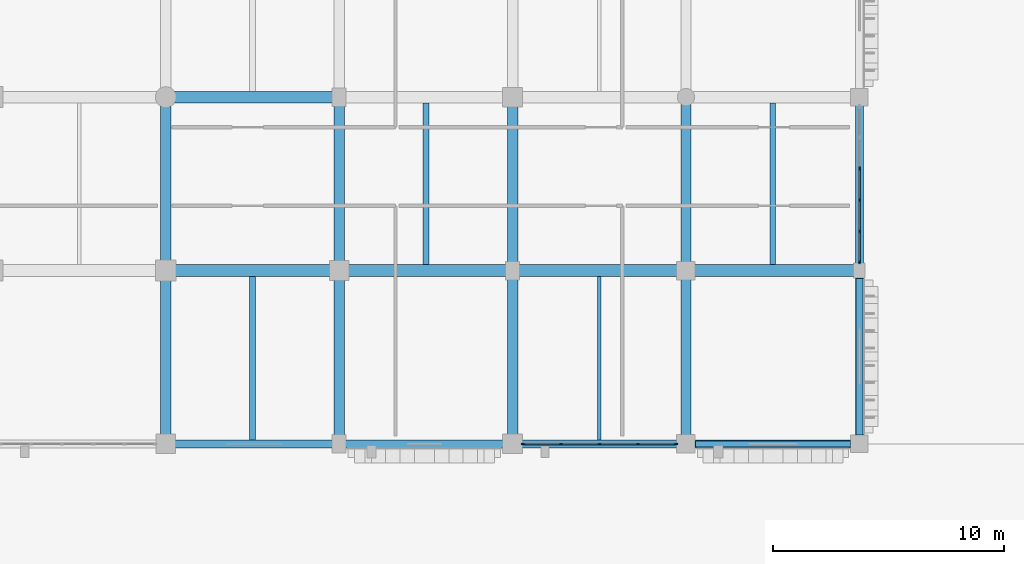
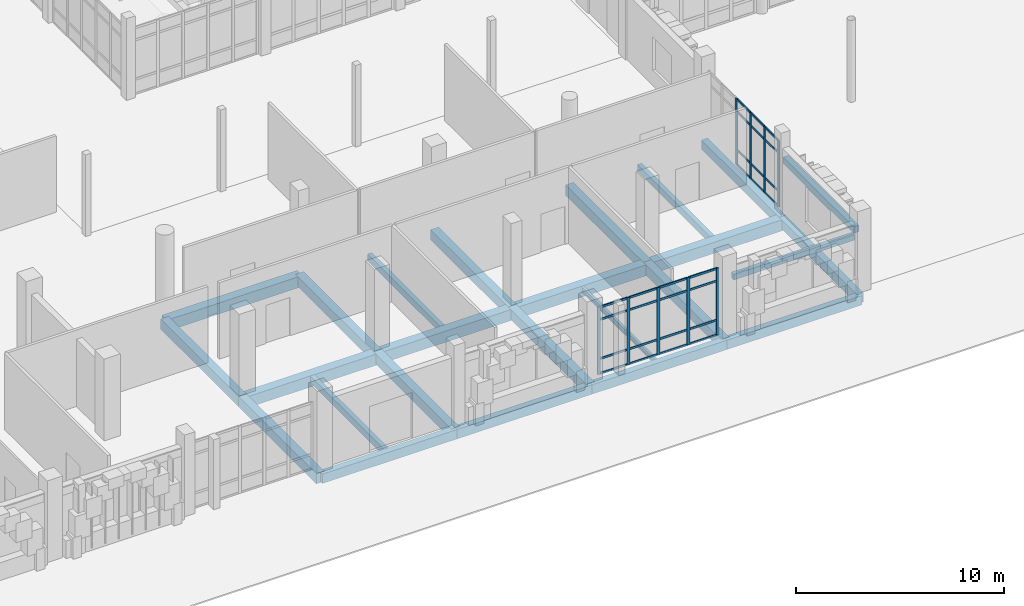
# One storey, part 18 of 125: 37 members, 25 beams, 2 elements without a shape of their own.
"""IFC4 building model written with IfcOpenShell, lengths in metres."""

from ifc_helpers import new_model, si_unit, direction, frame, origin, origin_2d, place, context, subcontext, project, spatial, rectangle, i_section, extrude, material, layer, layer_set, material_profile, profile_set, type_object, element, aggregate, save


model = new_model("IFC4")

# Units and contexts
model_context = context("Model", 3, precision=1e-05, world=origin(), true_north=direction((0.0, 1.0)))
body_context = subcontext(model_context, "Body", "Model", "MODEL_VIEW")
ifc_project = project(units=[si_unit("LENGTHUNIT", "METRE"), si_unit("AREAUNIT", "SQUARE_METRE"), si_unit("VOLUMEUNIT", "CUBIC_METRE"), si_unit("PLANEANGLEUNIT", "RADIAN"), si_unit("MASSUNIT", "GRAM", prefix="KILO")], contexts=[model_context])

# Site, building, storey
site_placement = place(None, origin())
site = spatial("IfcSite", under=ifc_project, at=site_placement, CompositionType="ELEMENT")
building_placement = place(site_placement, origin())
building = spatial("IfcBuilding", under=site, at=building_placement, Name="Dalvernix Boulevard General Hospital", CompositionType="ELEMENT")
storey_placement = place(building_placement, origin())
storey = spatial("IfcBuildingStorey", under=building, at=storey_placement, Name="L00", CompositionType="ELEMENT", Elevation=0.0)

# Beams
ifc_material_1 = material(Name="Concrete C35/45", Category="concrete")
ifc_material_profile_1 = material_profile(ifc_material_1, rectangle(XDim=0.5, YDim=0.64990234375, at=origin_2d()), Name="RCB 500x650")
ifc_profile_set_1 = profile_set([ifc_material_profile_1], Name="Concrete C35/45")
beam_type_1 = type_object("IfcBeamType", Name="BM-B-02-I", PredefinedType="BEAM", material=ifc_profile_set_1)
for number, where, z_axis, x_axis, name in (
    (1, (30.0, 7.5, -0.68505859375), (1.0, 0.0, 0.0), (0.0, 1.0, 0.0), "L00 E-W girder B:5-6"),
    (2, (37.5, 7.5, -0.68505859375), (1.0, 0.0, 0.0), (0.0, 1.0, 0.0), "L00 E-W girder B:6-7"),
    (3, (45.0, 7.5, -0.68505859375), (1.0, 0.0, 0.0), (0.0, 1.0, 0.0), "L00 E-W girder B:7-8"),
    (4, (52.5, 7.5, -0.68505859375), (1.0, 0.0, 0.0), (0.0, 1.0, 0.0), "L00 E-W girder B:8-9"),
    (5, (30.0, 15.0, -0.68505859375), (1.0, 0.0, 0.0), (0.0, 1.0, 0.0), "L00 E-W girder C:5-6"),
):
    element("IfcBeam", number, at=place(storey_placement, frame(where, z_axis=z_axis, x_axis=x_axis)), inside=storey, type_object=beam_type_1, Name=name, PredefinedType="BEAM", context=body_context, shape_type="SweptSolid", body=[
        extrude(rectangle(XDim=0.5, YDim=0.64990234375, at=origin_2d()), origin(), (0.0, 0.0, 1.0), 7.5),
    ])
ifc_material_profile_2 = material_profile(ifc_material_1, rectangle(XDim=0.449951171875, YDim=0.60009765625, at=origin_2d()), Name="RCB 450x600")
ifc_profile_set_2 = profile_set([ifc_material_profile_2], Name="Concrete C35/45")
beam_type_2 = type_object("IfcBeamType", Name="BM-B-04-I", PredefinedType="BEAM", material=ifc_profile_set_2)
for number, where, z_axis, x_axis, name in (
    (6, (30.0, 0.0, -0.659912109375), (0.0, 1.0, 0.0), (-1.0, 0.0, 0.0), "L00 N-S girder 5:A-B"),
    (7, (30.0, 7.5, -0.659912109375), (0.0, 1.0, 0.0), (-1.0, 0.0, 0.0), "L00 N-S girder 5:B-C"),
    (8, (37.5, 0.0, -0.659912109375), (0.0, 1.0, 0.0), (-1.0, 0.0, 0.0), "L00 N-S girder 6:A-B"),
    (9, (37.5, 7.5, -0.659912109375), (0.0, 1.0, 0.0), (-1.0, 0.0, 0.0), "L00 N-S girder 6:B-C"),
    (10, (45.0, 0.0, -0.659912109375), (0.0, 1.0, 0.0), (-1.0, 0.0, 0.0), "L00 N-S girder 7:A-B"),
    (11, (45.0, 7.5, -0.659912109375), (0.0, 1.0, 0.0), (-1.0, 0.0, 0.0), "L00 N-S girder 7:B-C"),
    (12, (52.5, 0.0, -0.659912109375), (0.0, 1.0, 0.0), (-1.0, 0.0, 0.0), "L00 N-S girder 8:A-B"),
    (13, (52.5, 7.5, -0.659912109375), (0.0, 1.0, 0.0), (-1.0, 0.0, 0.0), "L00 N-S girder 8:B-C"),
):
    element("IfcBeam", number, at=place(storey_placement, frame(where, z_axis=z_axis, x_axis=x_axis)), inside=storey, type_object=beam_type_2, Name=name, PredefinedType="BEAM", context=body_context, shape_type="SweptSolid", body=[
        extrude(rectangle(XDim=0.449951171875, YDim=0.60009765625, at=origin_2d()), origin(), (0.0, 0.0, 1.0), 7.5),
    ])
ifc_material_profile_3 = material_profile(ifc_material_1, rectangle(XDim=0.25, YDim=0.39990234375, at=origin_2d()), Name="RCB 250x400")
ifc_profile_set_3 = profile_set([ifc_material_profile_3], Name="Concrete C35/45")
beam_type_3 = type_object("IfcBeamType", Name="BM-JB-02", PredefinedType="JOIST", material=ifc_profile_set_3)
beam_1_placement = place(storey_placement, frame((33.75, 0.175048828125, -0.56005859375), z_axis=(0.0, 1.0, 0.0), x_axis=(-1.0, 0.0, 0.0)))
element("IfcBeam", 14, at=beam_1_placement, inside=storey, type_object=beam_type_3, Name="L00 secondary floor beam 5-A", PredefinedType="JOIST", context=body_context, shape_type="SweptSolid", body=[
    extrude(rectangle(XDim=0.25, YDim=0.39990234375, at=origin_2d()), origin(), (0.0, 0.0, 1.0), 7.074951171875),
])
for number, where, z_axis, x_axis, name in (
    (15, (41.25, 7.75, -0.56005859375), (0.0, 1.0, 0.0), (-1.0, 0.0, 0.0), "L00 secondary floor beam 6-B"),
    (16, (56.25, 7.75, -0.56005859375), (0.0, 1.0, 0.0), (-1.0, 0.0, 0.0), "L00 secondary floor beam 8-B"),
):
    element("IfcBeam", number, at=place(storey_placement, frame(where, z_axis=z_axis, x_axis=x_axis)), inside=storey, type_object=beam_type_3, Name=name, PredefinedType="JOIST", context=body_context, shape_type="SweptSolid", body=[
        extrude(rectangle(XDim=0.25, YDim=0.39990234375, at=origin_2d()), origin(), (0.0, 0.0, 1.0), 7.0),
    ])
ifc_material_2 = material(Name="Steel S355", Category="steel")
ifc_material_profile_4 = material_profile(ifc_material_2, i_section(OverallWidth=0.14990234375, OverallDepth=0.300048828125, WebThickness=0.007080078125, FlangeThickness=0.0107421875, FilletRadius=0.014892578125, at=origin_2d()), Name="IPE 300")
ifc_profile_set_4 = profile_set([ifc_material_profile_4], Name="Steel S355")
beam_type_4 = type_object("IfcBeamType", Name="BM-JB-03", PredefinedType="JOIST", material=ifc_profile_set_4)
beam_2_placement = place(storey_placement, frame((48.75, 0.175048828125, -0.510009765625), z_axis=(0.0, 1.0, 0.0), x_axis=(-1.0, 0.0, 0.0)))
element("IfcBeam", 17, at=beam_2_placement, inside=storey, type_object=beam_type_4, Name="L00 secondary floor beam 7-A", PredefinedType="JOIST", context=body_context, shape_type="SweptSolid", body=[
    extrude(i_section(OverallWidth=0.14990234375, OverallDepth=0.300048828125, WebThickness=0.007080078125, FlangeThickness=0.0107421875, FilletRadius=0.014892578125, at=origin_2d()), origin(), (0.0, 0.0, 1.0), 7.074951171875),
])
ifc_material_3 = material(Name="Precast concrete C40/50", Category="concrete")
ifc_material_profile_5 = material_profile(ifc_material_3, rectangle(XDim=0.25, YDim=0.320068359375, at=origin_2d()), Name="RCL 250x320")
ifc_profile_set_5 = profile_set([ifc_material_profile_5], Name="Precast concrete C40/50")
beam_type_5 = type_object("IfcBeamType", Name="BM-LB-01", PredefinedType="LINTEL", material=ifc_profile_set_5)
beam_3_placement = place(storey_placement, frame((59.614990234375, 0.0, 3.159912109375), z_axis=(-1.0, 0.0, 0.0), x_axis=(0.0, -1.0, 0.0)))
element("IfcBeam", 18, at=beam_3_placement, inside=storey, type_object=beam_type_5, Name="L00 precast window lintel S 7-0", PredefinedType="LINTEL", context=body_context, shape_type="SweptSolid", body=[
    extrude(rectangle(XDim=0.25, YDim=0.320068359375, at=origin_2d()), origin(), (0.0, 0.0, 1.0), 6.705078125),
])
ifc_material_profile_6 = material_profile(ifc_material_3, rectangle(XDim=0.300048828125, YDim=0.3798828125, at=origin_2d()), Name="RCL 300x380")
ifc_profile_set_6 = profile_set([ifc_material_profile_6], Name="Precast concrete C40/50")
beam_type_6 = type_object("IfcBeamType", Name="BM-LB-02", PredefinedType="LINTEL", material=ifc_profile_set_6)
beam_4_placement = place(storey_placement, frame((60.0, 7.1650390625, 3.18994140625), z_axis=(0.0, -1.0, 0.0), x_axis=(1.0, 0.0, 0.0)))
element("IfcBeam", 19, at=beam_4_placement, inside=storey, type_object=beam_type_6, Name="L00 precast window lintel E 8-0", PredefinedType="LINTEL", context=body_context, shape_type="SweptSolid", body=[
    extrude(rectangle(XDim=0.300048828125, YDim=0.3798828125, at=origin_2d()), origin(), (0.0, 0.0, 1.0), 6.780029296875),
])
ifc_material_profile_7 = material_profile(ifc_material_1, rectangle(XDim=0.35009765625, YDim=0.550048828125, at=origin_2d()), Name="RCB 350x550")
ifc_profile_set_7 = profile_set([ifc_material_profile_7], Name="Concrete C35/45")
beam_type_7 = type_object("IfcBeamType", Name="BM-SB-01-E", PredefinedType="SPANDREL", material=ifc_profile_set_7)
for number, where, z_axis, x_axis, name in (
    (20, (30.0, 0.0, -0.635009765625), (1.0, 0.0, 0.0), (0.0, 1.0, 0.0), "L00 E-W girder A:5-6"),
    (21, (37.5, 0.0, -0.635009765625), (1.0, 0.0, 0.0), (0.0, 1.0, 0.0), "L00 E-W girder A:6-7"),
    (22, (45.0, 0.0, -0.635009765625), (1.0, 0.0, 0.0), (0.0, 1.0, 0.0), "L00 E-W girder A:7-8"),
    (23, (52.5, 0.0, -0.635009765625), (1.0, 0.0, 0.0), (0.0, 1.0, 0.0), "L00 E-W girder A:8-9"),
    (24, (60.0, 0.0, -0.635009765625), (0.0, 1.0, 0.0), (-1.0, 0.0, 0.0), "L00 N-S girder 9:A-B"),
    (25, (60.0, 7.5, -0.635009765625), (0.0, 1.0, 0.0), (-1.0, 0.0, 0.0), "L00 N-S girder 9:B-C"),
):
    element("IfcBeam", number, at=place(storey_placement, frame(where, z_axis=z_axis, x_axis=x_axis)), inside=storey, type_object=beam_type_7, Name=name, PredefinedType="SPANDREL", context=body_context, shape_type="SweptSolid", body=[
        extrude(rectangle(XDim=0.35009765625, YDim=0.550048828125, at=origin_2d()), origin(), (0.0, 0.0, 1.0), 7.5),
    ])

# Curtain wall, members
ifc_material_4 = material(Name="Thermally broken aluminium and solar-control glass curtain wall", Category="aluminium")
ifc_layer_1 = layer(ifc_material_4, 0.159912109375)
ifc_layer_set_1 = layer_set([ifc_layer_1], Name="Thermally broken aluminium and solar-control glass curtain wall (CW-CW-A-67x40)")
curtain_wall_type_1 = type_object("IfcCurtainWallType", Name="CW-CW-A-67x40", PredefinedType="USERDEFINED", material=ifc_layer_set_1)
curtain_wall_1_placement = place(storey_placement, origin())
curtain_wall_1 = element("IfcCurtainWall", 26, at=curtain_wall_1_placement, inside=storey, type_object=curtain_wall_type_1, Name="L00 curtain wall CW-A-67x40 6-0", ObjectType="GLAZED FACADE", PredefinedType="USERDEFINED")
ifc_material_5 = material(Name="Aluminium EN AW-6060", Category="aluminium")
ifc_material_profile_8 = material_profile(ifc_material_5, rectangle(XDim=0.06005859375, YDim=0.159912109375, at=origin_2d()), Name="ALU MULL 60x160")
ifc_profile_set_8 = profile_set([ifc_material_profile_8], Name="Aluminium EN AW-6060")
member_type_1 = type_object("IfcMemberType", Name="MEM-CW-M1", PredefinedType="MULLION", material=ifc_profile_set_8)
member_1_placement = place(storey_placement, frame((52.06005859375, 0.0, 0.0), z_axis=(0.0, 0.0, 1.0), x_axis=(0.0, -1.0, 0.0)))
member_1 = element("IfcMember", 27, at=member_1_placement, type_object=member_type_1, Name="CW-A-67x40 mullion 1", PredefinedType="MULLION", context=body_context, shape_type="SweptSolid", body=[
    extrude(rectangle(XDim=0.06005859375, YDim=0.159912109375, at=origin_2d()), origin(), (0.0, 0.0, 1.0), 3.949951171875),
])
member_2_placement = place(storey_placement, frame((50.42626953125, 0.0, 0.0), z_axis=(0.0, 0.0, 1.0), x_axis=(0.0, -1.0, 0.0)))
member_2 = element("IfcMember", 28, at=member_2_placement, type_object=member_type_1, Name="CW-A-67x40 mullion 2", PredefinedType="MULLION", context=body_context, shape_type="SweptSolid", body=[
    extrude(rectangle(XDim=0.06005859375, YDim=0.159912109375, at=origin_2d()), origin(), (0.0, 0.0, 1.0), 3.949951171875),
])
member_3_placement = place(storey_placement, frame((48.762451171875, 0.0, 0.0), z_axis=(0.0, 0.0, 1.0), x_axis=(0.0, -1.0, 0.0)))
member_3 = element("IfcMember", 29, at=member_3_placement, type_object=member_type_1, Name="CW-A-67x40 mullion 3", PredefinedType="MULLION", context=body_context, shape_type="SweptSolid", body=[
    extrude(rectangle(XDim=0.06005859375, YDim=0.159912109375, at=origin_2d()), origin(), (0.0, 0.0, 1.0), 3.949951171875),
])
member_4_placement = place(storey_placement, frame((47.0986328125, 0.0, 0.0), z_axis=(0.0, 0.0, 1.0), x_axis=(0.0, -1.0, 0.0)))
member_4 = element("IfcMember", 30, at=member_4_placement, type_object=member_type_1, Name="CW-A-67x40 mullion 4", PredefinedType="MULLION", context=body_context, shape_type="SweptSolid", body=[
    extrude(rectangle(XDim=0.06005859375, YDim=0.159912109375, at=origin_2d()), origin(), (0.0, 0.0, 1.0), 3.949951171875),
])
member_5_placement = place(storey_placement, frame((45.465087890625, 0.0, 0.0), z_axis=(0.0, 0.0, 1.0), x_axis=(0.0, -1.0, 0.0)))
member_5 = element("IfcMember", 31, at=member_5_placement, type_object=member_type_1, Name="CW-A-67x40 mullion 5", PredefinedType="MULLION", context=body_context, shape_type="SweptSolid", body=[
    extrude(rectangle(XDim=0.06005859375, YDim=0.159912109375, at=origin_2d()), origin(), (0.0, 0.0, 1.0), 3.949951171875),
])

ifc_layer_2 = layer(ifc_material_4, 0.159912109375)
ifc_layer_set_2 = layer_set([ifc_layer_2], Name="Thermally broken aluminium and solar-control glass curtain wall (CW-CW-A-68x39)")
curtain_wall_type_2 = type_object("IfcCurtainWallType", Name="CW-CW-A-68x39", PredefinedType="USERDEFINED", material=ifc_layer_set_2)
curtain_wall_2_placement = place(storey_placement, origin())
curtain_wall_2 = element("IfcCurtainWall", 32, at=curtain_wall_2_placement, inside=storey, type_object=curtain_wall_type_2, Name="L00 curtain wall CW-A-68x39 8-1", ObjectType="GLAZED FACADE", PredefinedType="USERDEFINED")
member_6_placement = place(storey_placement, frame((60.0, 11.903076171875, 0.0), z_axis=(0.0, 0.0, 1.0), x_axis=(1.0, 0.0, 0.0)))
member_6 = element("IfcMember", 33, at=member_6_placement, type_object=member_type_1, Name="CW-A-68x39 mullion 3", PredefinedType="MULLION", context=body_context, shape_type="SweptSolid", body=[
    extrude(rectangle(XDim=0.06005859375, YDim=0.159912109375, at=origin_2d()), origin(), (0.0, 0.0, 1.0), 3.89990234375),
])
member_7_placement = place(storey_placement, frame((60.0, 10.547119140625, 0.0), z_axis=(0.0, 0.0, 1.0), x_axis=(1.0, 0.0, 0.0)))
member_7 = element("IfcMember", 34, at=member_7_placement, type_object=member_type_1, Name="CW-A-68x39 mullion 4", PredefinedType="MULLION", context=body_context, shape_type="SweptSolid", body=[
    extrude(rectangle(XDim=0.06005859375, YDim=0.159912109375, at=origin_2d()), origin(), (0.0, 0.0, 1.0), 3.89990234375),
])
member_8_placement = place(storey_placement, frame((60.0, 9.19091796875, 0.0), z_axis=(0.0, 0.0, 1.0), x_axis=(1.0, 0.0, 0.0)))
member_8 = element("IfcMember", 35, at=member_8_placement, type_object=member_type_1, Name="CW-A-68x39 mullion 5", PredefinedType="MULLION", context=body_context, shape_type="SweptSolid", body=[
    extrude(rectangle(XDim=0.06005859375, YDim=0.159912109375, at=origin_2d()), origin(), (0.0, 0.0, 1.0), 3.89990234375),
])
member_9_placement = place(storey_placement, frame((60.0, 7.864990234375, 0.0), z_axis=(0.0, 0.0, 1.0), x_axis=(1.0, 0.0, 0.0)))
member_9 = element("IfcMember", 36, at=member_9_placement, type_object=member_type_1, Name="CW-A-68x39 mullion 6", PredefinedType="MULLION", context=body_context, shape_type="SweptSolid", body=[
    extrude(rectangle(XDim=0.06005859375, YDim=0.159912109375, at=origin_2d()), origin(), (0.0, 0.0, 1.0), 3.89990234375),
])

# Member
ifc_material_profile_9 = material_profile(ifc_material_5, rectangle(XDim=0.06005859375, YDim=0.1201171875, at=origin_2d()), Name="ALU TRAN 60x120")
ifc_profile_set_9 = profile_set([ifc_material_profile_9], Name="Aluminium EN AW-6060")
member_type_2 = type_object("IfcMemberType", Name="MEM-CW-T1", PredefinedType="USERDEFINED", material=ifc_profile_set_9)
member_10_placement = place(storey_placement, frame((52.030029296875, 0.0, 0.030029296875), z_axis=(-1.0, 0.0, 0.0), x_axis=(0.0, -1.0, 0.0)))
member_10 = element("IfcMember", 37, at=member_10_placement, type_object=member_type_2, Name="CW-A-67x40 transom 1.1", ObjectType="TRANSOM", PredefinedType="USERDEFINED", context=body_context, shape_type="SweptSolid", body=[
    extrude(rectangle(XDim=0.06005859375, YDim=0.1201171875, at=origin_2d()), origin(), (0.0, 0.0, 1.0), 1.57373046875),
])

member_11_placement = place(storey_placement, frame((52.030029296875, 0.0, 0.89990234375), z_axis=(-1.0, 0.0, 0.0), x_axis=(0.0, -1.0, 0.0)))
member_11 = element("IfcMember", 38, at=member_11_placement, type_object=member_type_2, Name="CW-A-67x40 transom 1.2", ObjectType="TRANSOM", PredefinedType="USERDEFINED", context=body_context, shape_type="SweptSolid", body=[
    extrude(rectangle(XDim=0.06005859375, YDim=0.1201171875, at=origin_2d()), origin(), (0.0, 0.0, 1.0), 1.57373046875),
])

member_12_placement = place(storey_placement, frame((52.030029296875, 0.0, 3.199951171875), z_axis=(-1.0, 0.0, 0.0), x_axis=(0.0, -1.0, 0.0)))
member_12 = element("IfcMember", 39, at=member_12_placement, type_object=member_type_2, Name="CW-A-67x40 transom 1.3", ObjectType="TRANSOM", PredefinedType="USERDEFINED", context=body_context, shape_type="SweptSolid", body=[
    extrude(rectangle(XDim=0.06005859375, YDim=0.1201171875, at=origin_2d()), origin(), (0.0, 0.0, 1.0), 1.57373046875),
])

member_13_placement = place(storey_placement, frame((52.030029296875, 0.0, 3.919921875), z_axis=(-1.0, 0.0, 0.0), x_axis=(0.0, -1.0, 0.0)))
member_13 = element("IfcMember", 40, at=member_13_placement, type_object=member_type_2, Name="CW-A-67x40 transom 1.4", ObjectType="TRANSOM", PredefinedType="USERDEFINED", context=body_context, shape_type="SweptSolid", body=[
    extrude(rectangle(XDim=0.06005859375, YDim=0.1201171875, at=origin_2d()), origin(), (0.0, 0.0, 1.0), 1.57373046875),
])

member_14_placement = place(storey_placement, frame((50.396240234375, 0.0, 0.030029296875), z_axis=(-1.0, 0.0, 0.0), x_axis=(0.0, -1.0, 0.0)))
member_14 = element("IfcMember", 41, at=member_14_placement, type_object=member_type_2, Name="CW-A-67x40 transom 2.1", ObjectType="TRANSOM", PredefinedType="USERDEFINED", context=body_context, shape_type="SweptSolid", body=[
    extrude(rectangle(XDim=0.06005859375, YDim=0.1201171875, at=origin_2d()), origin(), (0.0, 0.0, 1.0), 1.603759765625),
])

member_15_placement = place(storey_placement, frame((50.396240234375, 0.0, 0.89990234375), z_axis=(-1.0, 0.0, 0.0), x_axis=(0.0, -1.0, 0.0)))
member_15 = element("IfcMember", 42, at=member_15_placement, type_object=member_type_2, Name="CW-A-67x40 transom 2.2", ObjectType="TRANSOM", PredefinedType="USERDEFINED", context=body_context, shape_type="SweptSolid", body=[
    extrude(rectangle(XDim=0.06005859375, YDim=0.1201171875, at=origin_2d()), origin(), (0.0, 0.0, 1.0), 1.603759765625),
])

member_16_placement = place(storey_placement, frame((50.396240234375, 0.0, 3.199951171875), z_axis=(-1.0, 0.0, 0.0), x_axis=(0.0, -1.0, 0.0)))
member_16 = element("IfcMember", 43, at=member_16_placement, type_object=member_type_2, Name="CW-A-67x40 transom 2.3", ObjectType="TRANSOM", PredefinedType="USERDEFINED", context=body_context, shape_type="SweptSolid", body=[
    extrude(rectangle(XDim=0.06005859375, YDim=0.1201171875, at=origin_2d()), origin(), (0.0, 0.0, 1.0), 1.603759765625),
])

member_17_placement = place(storey_placement, frame((50.396240234375, 0.0, 3.919921875), z_axis=(-1.0, 0.0, 0.0), x_axis=(0.0, -1.0, 0.0)))
member_17 = element("IfcMember", 44, at=member_17_placement, type_object=member_type_2, Name="CW-A-67x40 transom 2.4", ObjectType="TRANSOM", PredefinedType="USERDEFINED", context=body_context, shape_type="SweptSolid", body=[
    extrude(rectangle(XDim=0.06005859375, YDim=0.1201171875, at=origin_2d()), origin(), (0.0, 0.0, 1.0), 1.603759765625),
])

member_18_placement = place(storey_placement, frame((48.732421875, 0.0, 0.030029296875), z_axis=(-1.0, 0.0, 0.0), x_axis=(0.0, -1.0, 0.0)))
member_18 = element("IfcMember", 45, at=member_18_placement, type_object=member_type_2, Name="CW-A-67x40 transom 3.1", ObjectType="TRANSOM", PredefinedType="USERDEFINED", context=body_context, shape_type="SweptSolid", body=[
    extrude(rectangle(XDim=0.06005859375, YDim=0.1201171875, at=origin_2d()), origin(), (0.0, 0.0, 1.0), 1.603759765625),
])

member_19_placement = place(storey_placement, frame((48.732421875, 0.0, 0.89990234375), z_axis=(-1.0, 0.0, 0.0), x_axis=(0.0, -1.0, 0.0)))
member_19 = element("IfcMember", 46, at=member_19_placement, type_object=member_type_2, Name="CW-A-67x40 transom 3.2", ObjectType="TRANSOM", PredefinedType="USERDEFINED", context=body_context, shape_type="SweptSolid", body=[
    extrude(rectangle(XDim=0.06005859375, YDim=0.1201171875, at=origin_2d()), origin(), (0.0, 0.0, 1.0), 1.603759765625),
])

member_20_placement = place(storey_placement, frame((48.732421875, 0.0, 3.199951171875), z_axis=(-1.0, 0.0, 0.0), x_axis=(0.0, -1.0, 0.0)))
member_20 = element("IfcMember", 47, at=member_20_placement, type_object=member_type_2, Name="CW-A-67x40 transom 3.3", ObjectType="TRANSOM", PredefinedType="USERDEFINED", context=body_context, shape_type="SweptSolid", body=[
    extrude(rectangle(XDim=0.06005859375, YDim=0.1201171875, at=origin_2d()), origin(), (0.0, 0.0, 1.0), 1.603759765625),
])

member_21_placement = place(storey_placement, frame((48.732421875, 0.0, 3.919921875), z_axis=(-1.0, 0.0, 0.0), x_axis=(0.0, -1.0, 0.0)))
member_21 = element("IfcMember", 48, at=member_21_placement, type_object=member_type_2, Name="CW-A-67x40 transom 3.4", ObjectType="TRANSOM", PredefinedType="USERDEFINED", context=body_context, shape_type="SweptSolid", body=[
    extrude(rectangle(XDim=0.06005859375, YDim=0.1201171875, at=origin_2d()), origin(), (0.0, 0.0, 1.0), 1.603759765625),
])

member_22_placement = place(storey_placement, frame((47.06884765625, 0.0, 0.030029296875), z_axis=(-1.0, 0.0, 0.0), x_axis=(0.0, -1.0, 0.0)))
member_22 = element("IfcMember", 49, at=member_22_placement, type_object=member_type_2, Name="CW-A-67x40 transom 4.1", ObjectType="TRANSOM", PredefinedType="USERDEFINED", context=body_context, shape_type="SweptSolid", body=[
    extrude(rectangle(XDim=0.06005859375, YDim=0.1201171875, at=origin_2d()), origin(), (0.0, 0.0, 1.0), 1.57373046875),
])

member_23_placement = place(storey_placement, frame((47.06884765625, 0.0, 0.89990234375), z_axis=(-1.0, 0.0, 0.0), x_axis=(0.0, -1.0, 0.0)))
member_23 = element("IfcMember", 50, at=member_23_placement, type_object=member_type_2, Name="CW-A-67x40 transom 4.2", ObjectType="TRANSOM", PredefinedType="USERDEFINED", context=body_context, shape_type="SweptSolid", body=[
    extrude(rectangle(XDim=0.06005859375, YDim=0.1201171875, at=origin_2d()), origin(), (0.0, 0.0, 1.0), 1.57373046875),
])

member_24_placement = place(storey_placement, frame((47.06884765625, 0.0, 3.199951171875), z_axis=(-1.0, 0.0, 0.0), x_axis=(0.0, -1.0, 0.0)))
member_24 = element("IfcMember", 51, at=member_24_placement, type_object=member_type_2, Name="CW-A-67x40 transom 4.3", ObjectType="TRANSOM", PredefinedType="USERDEFINED", context=body_context, shape_type="SweptSolid", body=[
    extrude(rectangle(XDim=0.06005859375, YDim=0.1201171875, at=origin_2d()), origin(), (0.0, 0.0, 1.0), 1.57373046875),
])

member_25_placement = place(storey_placement, frame((47.06884765625, 0.0, 3.919921875), z_axis=(-1.0, 0.0, 0.0), x_axis=(0.0, -1.0, 0.0)))
member_25 = element("IfcMember", 52, at=member_25_placement, type_object=member_type_2, Name="CW-A-67x40 transom 4.4", ObjectType="TRANSOM", PredefinedType="USERDEFINED", context=body_context, shape_type="SweptSolid", body=[
    extrude(rectangle(XDim=0.06005859375, YDim=0.1201171875, at=origin_2d()), origin(), (0.0, 0.0, 1.0), 1.57373046875),
])

aggregate(curtain_wall_1, [member_1, member_2, member_3, member_4, member_5, member_10, member_11, member_12, member_13, member_14, member_15, member_16, member_17, member_18, member_19, member_20, member_21, member_22, member_23, member_24, member_25])

member_26_placement = place(storey_placement, frame((60.0, 11.873046875, 0.030029296875), z_axis=(0.0, -1.0, 0.0), x_axis=(1.0, 0.0, 0.0)))
member_26 = element("IfcMember", 53, at=member_26_placement, type_object=member_type_2, Name="CW-A-68x39 transom 3.1", ObjectType="TRANSOM", PredefinedType="USERDEFINED", context=body_context, shape_type="SweptSolid", body=[
    extrude(rectangle(XDim=0.06005859375, YDim=0.1201171875, at=origin_2d()), origin(), (0.0, 0.0, 1.0), 1.296142578125),
])

member_27_placement = place(storey_placement, frame((60.0, 11.873046875, 0.89990234375), z_axis=(0.0, -1.0, 0.0), x_axis=(1.0, 0.0, 0.0)))
member_27 = element("IfcMember", 54, at=member_27_placement, type_object=member_type_2, Name="CW-A-68x39 transom 3.2", ObjectType="TRANSOM", PredefinedType="USERDEFINED", context=body_context, shape_type="SweptSolid", body=[
    extrude(rectangle(XDim=0.06005859375, YDim=0.1201171875, at=origin_2d()), origin(), (0.0, 0.0, 1.0), 1.296142578125),
])

member_28_placement = place(storey_placement, frame((60.0, 11.873046875, 3.14990234375), z_axis=(0.0, -1.0, 0.0), x_axis=(1.0, 0.0, 0.0)))
member_28 = element("IfcMember", 55, at=member_28_placement, type_object=member_type_2, Name="CW-A-68x39 transom 3.3", ObjectType="TRANSOM", PredefinedType="USERDEFINED", context=body_context, shape_type="SweptSolid", body=[
    extrude(rectangle(XDim=0.06005859375, YDim=0.1201171875, at=origin_2d()), origin(), (0.0, 0.0, 1.0), 1.296142578125),
])

member_29_placement = place(storey_placement, frame((60.0, 11.873046875, 3.8701171875), z_axis=(0.0, -1.0, 0.0), x_axis=(1.0, 0.0, 0.0)))
member_29 = element("IfcMember", 56, at=member_29_placement, type_object=member_type_2, Name="CW-A-68x39 transom 3.4", ObjectType="TRANSOM", PredefinedType="USERDEFINED", context=body_context, shape_type="SweptSolid", body=[
    extrude(rectangle(XDim=0.06005859375, YDim=0.1201171875, at=origin_2d()), origin(), (0.0, 0.0, 1.0), 1.296142578125),
])

member_30_placement = place(storey_placement, frame((60.0, 10.51708984375, 0.030029296875), z_axis=(0.0, -1.0, 0.0), x_axis=(1.0, 0.0, 0.0)))
member_30 = element("IfcMember", 57, at=member_30_placement, type_object=member_type_2, Name="CW-A-68x39 transom 4.1", ObjectType="TRANSOM", PredefinedType="USERDEFINED", context=body_context, shape_type="SweptSolid", body=[
    extrude(rectangle(XDim=0.06005859375, YDim=0.1201171875, at=origin_2d()), origin(), (0.0, 0.0, 1.0), 1.296142578125),
])

member_31_placement = place(storey_placement, frame((60.0, 10.51708984375, 0.89990234375), z_axis=(0.0, -1.0, 0.0), x_axis=(1.0, 0.0, 0.0)))
member_31 = element("IfcMember", 58, at=member_31_placement, type_object=member_type_2, Name="CW-A-68x39 transom 4.2", ObjectType="TRANSOM", PredefinedType="USERDEFINED", context=body_context, shape_type="SweptSolid", body=[
    extrude(rectangle(XDim=0.06005859375, YDim=0.1201171875, at=origin_2d()), origin(), (0.0, 0.0, 1.0), 1.296142578125),
])

member_32_placement = place(storey_placement, frame((60.0, 10.51708984375, 3.14990234375), z_axis=(0.0, -1.0, 0.0), x_axis=(1.0, 0.0, 0.0)))
member_32 = element("IfcMember", 59, at=member_32_placement, type_object=member_type_2, Name="CW-A-68x39 transom 4.3", ObjectType="TRANSOM", PredefinedType="USERDEFINED", context=body_context, shape_type="SweptSolid", body=[
    extrude(rectangle(XDim=0.06005859375, YDim=0.1201171875, at=origin_2d()), origin(), (0.0, 0.0, 1.0), 1.296142578125),
])

member_33_placement = place(storey_placement, frame((60.0, 10.51708984375, 3.8701171875), z_axis=(0.0, -1.0, 0.0), x_axis=(1.0, 0.0, 0.0)))
member_33 = element("IfcMember", 60, at=member_33_placement, type_object=member_type_2, Name="CW-A-68x39 transom 4.4", ObjectType="TRANSOM", PredefinedType="USERDEFINED", context=body_context, shape_type="SweptSolid", body=[
    extrude(rectangle(XDim=0.06005859375, YDim=0.1201171875, at=origin_2d()), origin(), (0.0, 0.0, 1.0), 1.296142578125),
])

member_34_placement = place(storey_placement, frame((60.0, 9.160888671875, 0.030029296875), z_axis=(0.0, -1.0, 0.0), x_axis=(1.0, 0.0, 0.0)))
member_34 = element("IfcMember", 61, at=member_34_placement, type_object=member_type_2, Name="CW-A-68x39 transom 5.1", ObjectType="TRANSOM", PredefinedType="USERDEFINED", context=body_context, shape_type="SweptSolid", body=[
    extrude(rectangle(XDim=0.06005859375, YDim=0.1201171875, at=origin_2d()), origin(), (0.0, 0.0, 1.0), 1.265869140625),
])

member_35_placement = place(storey_placement, frame((60.0, 9.160888671875, 0.89990234375), z_axis=(0.0, -1.0, 0.0), x_axis=(1.0, 0.0, 0.0)))
member_35 = element("IfcMember", 62, at=member_35_placement, type_object=member_type_2, Name="CW-A-68x39 transom 5.2", ObjectType="TRANSOM", PredefinedType="USERDEFINED", context=body_context, shape_type="SweptSolid", body=[
    extrude(rectangle(XDim=0.06005859375, YDim=0.1201171875, at=origin_2d()), origin(), (0.0, 0.0, 1.0), 1.265869140625),
])

member_36_placement = place(storey_placement, frame((60.0, 9.160888671875, 3.14990234375), z_axis=(0.0, -1.0, 0.0), x_axis=(1.0, 0.0, 0.0)))
member_36 = element("IfcMember", 63, at=member_36_placement, type_object=member_type_2, Name="CW-A-68x39 transom 5.3", ObjectType="TRANSOM", PredefinedType="USERDEFINED", context=body_context, shape_type="SweptSolid", body=[
    extrude(rectangle(XDim=0.06005859375, YDim=0.1201171875, at=origin_2d()), origin(), (0.0, 0.0, 1.0), 1.265869140625),
])

member_37_placement = place(storey_placement, frame((60.0, 9.160888671875, 3.8701171875), z_axis=(0.0, -1.0, 0.0), x_axis=(1.0, 0.0, 0.0)))
member_37 = element("IfcMember", 64, at=member_37_placement, type_object=member_type_2, Name="CW-A-68x39 transom 5.4", ObjectType="TRANSOM", PredefinedType="USERDEFINED", context=body_context, shape_type="SweptSolid", body=[
    extrude(rectangle(XDim=0.06005859375, YDim=0.1201171875, at=origin_2d()), origin(), (0.0, 0.0, 1.0), 1.265869140625),
])

aggregate(curtain_wall_2, [member_6, member_7, member_8, member_9, member_26, member_27, member_28, member_29, member_30, member_31, member_32, member_33, member_34, member_35, member_36, member_37])

save(model, "model.ifc")
